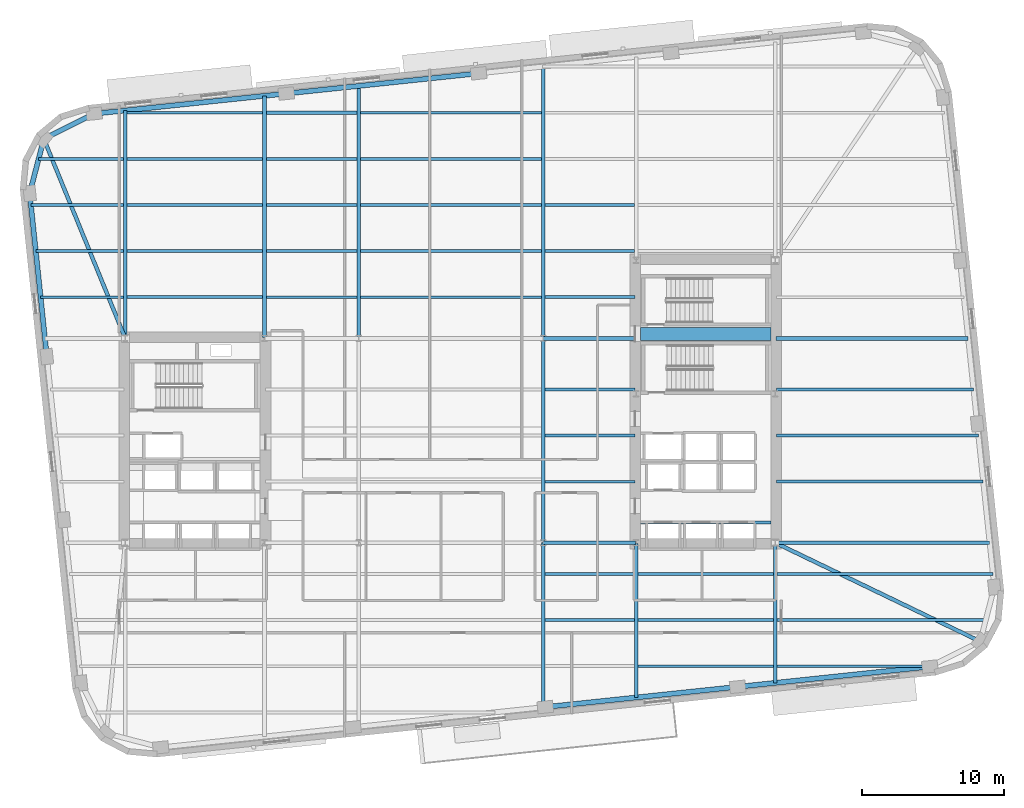
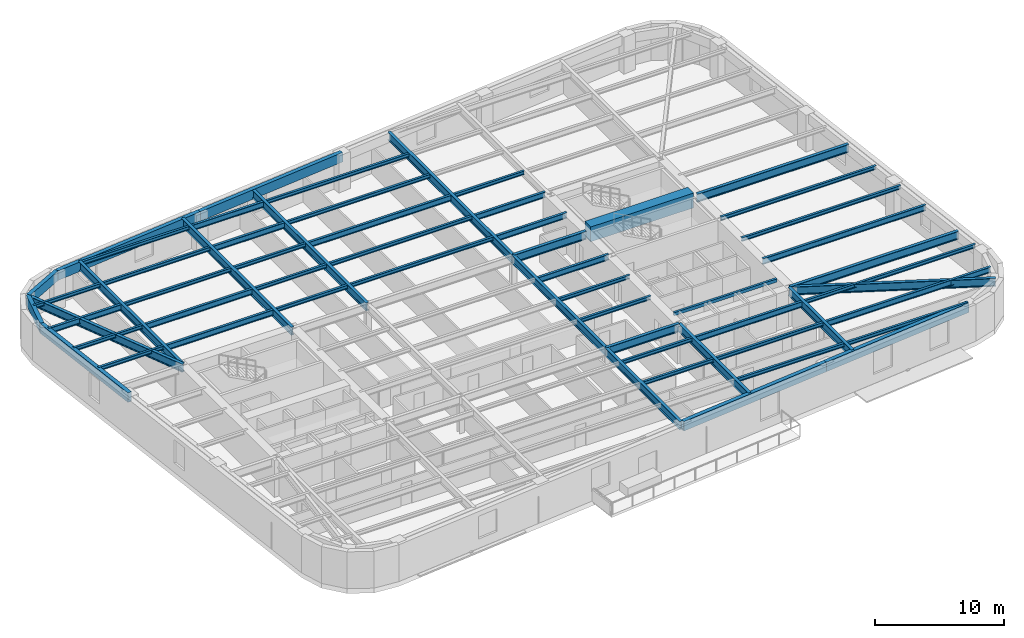
# One storey, part 2 of 11: 59 beams.
"""IFC4 building model written with IfcOpenShell, lengths in metres."""

from ifc_helpers import new_model, si_unit, direction, frame, origin, origin_2d, place, context, subcontext, project, spatial, rectangle, hollow_rectangle, i_section, extrude, material, material_profile, profile_set, type_object, element, save


model = new_model("IFC4")

# Units and contexts
model_context = context("Model", 3, precision=1e-05, world=origin(), true_north=direction((0.0, 1.0)))
body_context = subcontext(model_context, "Body", "Model", "MODEL_VIEW")
ifc_project = project(units=[si_unit("LENGTHUNIT", "METRE"), si_unit("AREAUNIT", "SQUARE_METRE"), si_unit("VOLUMEUNIT", "CUBIC_METRE"), si_unit("PLANEANGLEUNIT", "RADIAN"), si_unit("MASSUNIT", "GRAM", prefix="KILO")], contexts=[model_context])

# Site, building, storey
site_placement = place(None, origin())
site = spatial("IfcSite", under=ifc_project, at=site_placement, CompositionType="ELEMENT")
building_placement = place(site_placement, origin())
building = spatial("IfcBuilding", under=site, at=building_placement, Name="Kolvaren Arena Tower", CompositionType="ELEMENT")
storey_placement = place(building_placement, frame((0.0, 0.0, 99.699951171875)))
storey = spatial("IfcBuildingStorey", under=building, at=storey_placement, Name="L22", CompositionType="ELEMENT", Elevation=99.699951171875)

# Beams
ifc_material_1 = material(Name="Steel CSA G40.21 350W", Category="steel")
ifc_material_profile_1 = material_profile(ifc_material_1, i_section(OverallWidth=0.2119140625, OverallDepth=0.54296875, WebThickness=0.01318359375, FlangeThickness=0.0244140625, FilletRadius=0.013916015625, at=origin_2d()), Name="W530x150")
ifc_profile_set_1 = profile_set([ifc_material_profile_1], Name="Steel CSA G40.21 350W")
beam_type_1 = type_object("IfcBeamType", Name="BEAM-F1", PredefinedType="BEAM", material=ifc_profile_set_1)
beam_1_placement = place(storey_placement, frame((60.485107421875, 14.0, 3.20849609375), z_axis=(1.0, 0.0, 0.0), x_axis=(0.0, 1.0, 0.0)))
element("IfcBeam", 1, at=beam_1_placement, inside=storey, type_object=beam_type_1, Name="Composite Floor Beam (L22)", PredefinedType="BEAM", context=body_context, shape_type="SweptSolid", body=[
    extrude(i_section(OverallWidth=0.2119140625, OverallDepth=0.54296875, WebThickness=0.01318359375, FlangeThickness=0.0244140625, FilletRadius=0.013916015625, at=origin_2d()), origin(), (0.0, 0.0, 1.0), 14.69677734375),
])
beam_2_placement = place(storey_placement, frame((50.68505859375, 17.25, 3.20849609375), z_axis=(1.0, 0.0, 0.0), x_axis=(0.0, 1.0, 0.0)))
element("IfcBeam", 2, at=beam_2_placement, inside=storey, type_object=beam_type_1, Name="Composite Floor Beam (L22)", PredefinedType="BEAM", context=body_context, shape_type="SweptSolid", body=[
    extrude(i_section(OverallWidth=0.2119140625, OverallDepth=0.54296875, WebThickness=0.01318359375, FlangeThickness=0.0244140625, FilletRadius=0.013916015625, at=origin_2d()), origin(), (0.0, 0.0, 1.0), 9.530029296875),
])
beam_3_placement = place(storey_placement, frame((60.445068359375, 23.75, 3.20849609375), z_axis=(1.0, 0.0, 0.0), x_axis=(0.0, 1.0, 0.0)))
element("IfcBeam", 3, at=beam_3_placement, inside=storey, type_object=beam_type_1, Name="Composite Floor Beam (L22)", PredefinedType="BEAM", context=body_context, shape_type="SweptSolid", body=[
    extrude(i_section(OverallWidth=0.2119140625, OverallDepth=0.54296875, WebThickness=0.01318359375, FlangeThickness=0.0244140625, FilletRadius=0.013916015625, at=origin_2d()), origin(), (0.0, 0.0, 1.0), 14.56103515625),
])
beam_4_placement = place(storey_placement, frame((44.135009765625, 30.25, 3.20849609375), z_axis=(1.0, 0.0, 0.0), x_axis=(0.0, 1.0, 0.0)))
element("IfcBeam", 4, at=beam_4_placement, inside=storey, type_object=beam_type_1, Name="Composite Floor Beam (L22)", PredefinedType="BEAM", context=body_context, shape_type="SweptSolid", body=[
    extrude(i_section(OverallWidth=0.2119140625, OverallDepth=0.54296875, WebThickness=0.01318359375, FlangeThickness=0.0244140625, FilletRadius=0.013916015625, at=origin_2d()), origin(), (0.0, 0.0, 1.0), 6.320068359375),
])
beam_5_placement = place(storey_placement, frame((14.68505859375, 36.75, 3.20849609375), z_axis=(1.0, 0.0, 0.0), x_axis=(0.0, 1.0, 0.0)))
element("IfcBeam", 5, at=beam_5_placement, inside=storey, type_object=beam_type_1, Name="Composite Floor Beam (L22)", PredefinedType="BEAM", context=body_context, shape_type="SweptSolid", body=[
    extrude(i_section(OverallWidth=0.2119140625, OverallDepth=0.54296875, WebThickness=0.01318359375, FlangeThickness=0.0244140625, FilletRadius=0.013916015625, at=origin_2d()), origin(), (0.0, 0.0, 1.0), 9.530029296875),
])
beam_6_placement = place(storey_placement, frame((44.135009765625, 36.75, 3.20849609375), z_axis=(1.0, 0.0, 0.0), x_axis=(0.0, 1.0, 0.0)))
element("IfcBeam", 6, at=beam_6_placement, inside=storey, type_object=beam_type_1, Name="Composite Floor Beam (L22)", PredefinedType="BEAM", context=body_context, shape_type="SweptSolid", body=[
    extrude(i_section(OverallWidth=0.2119140625, OverallDepth=0.54296875, WebThickness=0.01318359375, FlangeThickness=0.0244140625, FilletRadius=0.013916015625, at=origin_2d()), origin(), (0.0, 0.0, 1.0), 6.320068359375),
])
beam_7_placement = place(storey_placement, frame((14.68505859375, 40.0, 3.20849609375), z_axis=(1.0, 0.0, 0.0), x_axis=(0.0, 1.0, 0.0)))
element("IfcBeam", 7, at=beam_7_placement, inside=storey, type_object=beam_type_1, Name="Composite Floor Beam (L22)", PredefinedType="BEAM", context=body_context, shape_type="SweptSolid", body=[
    extrude(i_section(OverallWidth=0.2119140625, OverallDepth=0.54296875, WebThickness=0.01318359375, FlangeThickness=0.0244140625, FilletRadius=0.013916015625, at=origin_2d()), origin(), (0.0, 0.0, 1.0), 9.530029296875),
])
beam_8_placement = place(storey_placement, frame((44.135009765625, 40.0, 3.20849609375), z_axis=(1.0, 0.0, 0.0), x_axis=(0.0, 1.0, 0.0)))
element("IfcBeam", 8, at=beam_8_placement, inside=storey, type_object=beam_type_1, Name="Composite Floor Beam (L22)", PredefinedType="BEAM", context=body_context, shape_type="SweptSolid", body=[
    extrude(i_section(OverallWidth=0.2119140625, OverallDepth=0.54296875, WebThickness=0.01318359375, FlangeThickness=0.0244140625, FilletRadius=0.013916015625, at=origin_2d()), origin(), (0.0, 0.0, 1.0), 6.280029296875),
])
beam_9_placement = place(storey_placement, frame((7.900146484375, 43.25, 3.20849609375), z_axis=(1.0, 0.0, 0.0), x_axis=(0.0, 1.0, 0.0)))
element("IfcBeam", 9, at=beam_9_placement, inside=storey, type_object=beam_type_1, Name="Composite Floor Beam (L22)", PredefinedType="BEAM", context=body_context, shape_type="SweptSolid", body=[
    extrude(i_section(OverallWidth=0.2119140625, OverallDepth=0.54296875, WebThickness=0.01318359375, FlangeThickness=0.0244140625, FilletRadius=0.013916015625, at=origin_2d()), origin(), (0.0, 0.0, 1.0), 6.514892578125),
])
beam_10_placement = place(storey_placement, frame((31.135009765625, 43.25, 3.20849609375), z_axis=(1.0, 0.0, 0.0), x_axis=(0.0, 1.0, 0.0)))
element("IfcBeam", 10, at=beam_10_placement, inside=storey, type_object=beam_type_1, Name="Composite Floor Beam (L22)", PredefinedType="BEAM", context=body_context, shape_type="SweptSolid", body=[
    extrude(i_section(OverallWidth=0.2119140625, OverallDepth=0.54296875, WebThickness=0.01318359375, FlangeThickness=0.0244140625, FilletRadius=0.013916015625, at=origin_2d()), origin(), (0.0, 0.0, 1.0), 12.72998046875),
])
for number, where, z_axis, x_axis, name in (
    (11, (24.485107421875, 46.5, 3.20849609375), (1.0, 0.0, 0.0), (0.0, 1.0, 0.0), "Composite Floor Beam (L22)"),
    (12, (24.485107421875, 49.75, 3.20849609375), (1.0, 0.0, 0.0), (0.0, 1.0, 0.0), "Composite Floor Beam (L22)"),
):
    element("IfcBeam", number, at=place(storey_placement, frame(where, z_axis=z_axis, x_axis=x_axis)), inside=storey, type_object=beam_type_1, Name=name, PredefinedType="BEAM", context=body_context, shape_type="SweptSolid", body=[
        extrude(i_section(OverallWidth=0.2119140625, OverallDepth=0.54296875, WebThickness=0.01318359375, FlangeThickness=0.0244140625, FilletRadius=0.013916015625, at=origin_2d()), origin(), (0.0, 0.0, 1.0), 6.3798828125),
    ])
ifc_material_2 = material(Name="Concrete 75 MPa", Category="concrete")
ifc_material_profile_2 = material_profile(ifc_material_2, rectangle(XDim=0.89990234375, YDim=1.39990234375, at=origin_2d()), Name="RC-900x1400")
ifc_profile_set_2 = profile_set([ifc_material_profile_2], Name="Concrete 75 MPa")
beam_type_2 = type_object("IfcBeamType", Name="CB-CORE-1", PredefinedType="BEAM", material=ifc_profile_set_2)
beam_11_placement = place(storey_placement, frame((50.85009765625, 34.14990234375, 3.050048828125), z_axis=(1.0, 0.0, 0.0), x_axis=(0.0, 1.0, 0.0)))
element("IfcBeam", 13, at=beam_11_placement, inside=storey, type_object=beam_type_2, Name="East Core Coupling Beam (L22)", PredefinedType="BEAM", context=body_context, shape_type="SweptSolid", body=[
    extrude(rectangle(XDim=0.89990234375, YDim=1.39990234375, at=origin_2d()), origin(), (0.0, 0.0, 1.0), 9.199951171875),
])
ifc_material_profile_3 = material_profile(ifc_material_1, i_section(OverallWidth=0.27001953125, OverallDepth=0.77294921875, WebThickness=0.019287109375, FlangeThickness=0.033447265625, FilletRadius=0.01806640625, at=origin_2d()), Name="W760x257")
ifc_profile_set_3 = profile_set([ifc_material_profile_3], Name="Steel CSA G40.21 350W")
beam_type_3 = type_object("IfcBeamType", Name="GIRD-T1", PredefinedType="BEAM", material=ifc_profile_set_3)
beam_12_placement = place(storey_placement, frame((74.790283203125, 12.49267578125, 3.093505859375), z_axis=(-0.900889626424, 0.43404824732, 0.0), x_axis=(-0.43404824732, -0.900889626424, 0.0)))
element("IfcBeam", 14, at=beam_12_placement, inside=storey, type_object=beam_type_3, Name="Corner Diagonal Tie Girder (L22)", PredefinedType="BEAM", context=body_context, shape_type="SweptSolid", body=[
    extrude(i_section(OverallWidth=0.27001953125, OverallDepth=0.77294921875, WebThickness=0.019287109375, FlangeThickness=0.033447265625, FilletRadius=0.01806640625, at=origin_2d()), origin(), (0.0, 0.0, 1.0), 16.02880859375),
])
beam_13_placement = place(storey_placement, frame((8.8095703125, 47.9072265625, 3.093505859375), z_axis=(0.378059288681, -0.925781385772, 0.0), x_axis=(0.925781385772, 0.378059288681, 0.0)))
element("IfcBeam", 15, at=beam_13_placement, inside=storey, type_object=beam_type_3, Name="Corner Diagonal Tie Girder (L22)", PredefinedType="BEAM", context=body_context, shape_type="SweptSolid", body=[
    extrude(i_section(OverallWidth=0.27001953125, OverallDepth=0.77294921875, WebThickness=0.019287109375, FlangeThickness=0.033447265625, FilletRadius=0.01806640625, at=origin_2d()), origin(), (0.0, 0.0, 1.0), 15.18408203125),
])
beam_14_placement = place(storey_placement, frame((44.0, 19.449951171875, 3.093505859375), z_axis=(1.0, 0.0, 0.0), x_axis=(0.0, 1.0, 0.0)))
element("IfcBeam", 16, at=beam_14_placement, inside=storey, type_object=beam_type_3, Name="Primary Floor Girder (L22)", PredefinedType="BEAM", context=body_context, shape_type="SweptSolid", body=[
    extrude(i_section(OverallWidth=0.27001953125, OverallDepth=0.77294921875, WebThickness=0.019287109375, FlangeThickness=0.033447265625, FilletRadius=0.01806640625, at=origin_2d()), origin(), (0.0, 0.0, 1.0), 6.4951171875),
])
beam_15_placement = place(storey_placement, frame((60.405029296875, 19.449951171875, 3.093505859375), z_axis=(1.0, 0.0, 0.0), x_axis=(0.0, 1.0, 0.0)))
element("IfcBeam", 17, at=beam_15_placement, inside=storey, type_object=beam_type_3, Name="Primary Floor Girder (L22)", PredefinedType="BEAM", context=body_context, shape_type="SweptSolid", body=[
    extrude(i_section(OverallWidth=0.27001953125, OverallDepth=0.77294921875, WebThickness=0.019287109375, FlangeThickness=0.033447265625, FilletRadius=0.01806640625, at=origin_2d()), origin(), (0.0, 0.0, 1.0), 15.052978515625),
])
beam_16_placement = place(storey_placement, frame((44.0, 33.85009765625, 3.093505859375), z_axis=(1.0, 0.0, 0.0), x_axis=(0.0, 1.0, 0.0)))
element("IfcBeam", 18, at=beam_16_placement, inside=storey, type_object=beam_type_3, Name="Primary Floor Girder (L22)", PredefinedType="BEAM", context=body_context, shape_type="SweptSolid", body=[
    extrude(i_section(OverallWidth=0.27001953125, OverallDepth=0.77294921875, WebThickness=0.019287109375, FlangeThickness=0.033447265625, FilletRadius=0.01806640625, at=origin_2d()), origin(), (0.0, 0.0, 1.0), 6.4951171875),
])
beam_17_placement = place(storey_placement, frame((60.405029296875, 33.85009765625, 3.093505859375), z_axis=(1.0, 0.0, 0.0), x_axis=(0.0, 1.0, 0.0)))
element("IfcBeam", 19, at=beam_17_placement, inside=storey, type_object=beam_type_3, Name="Primary Floor Girder (L22)", PredefinedType="BEAM", context=body_context, shape_type="SweptSolid", body=[
    extrude(i_section(OverallWidth=0.27001953125, OverallDepth=0.77294921875, WebThickness=0.019287109375, FlangeThickness=0.033447265625, FilletRadius=0.01806640625, at=origin_2d()), origin(), (0.0, 0.0, 1.0), 13.53955078125),
])
beam_18_placement = place(storey_placement, frame((14.550048828125, 33.905029296875, 3.093505859375), z_axis=(0.0, 1.0, 0.0), x_axis=(-1.0, 0.0, 0.0)))
element("IfcBeam", 20, at=beam_18_placement, inside=storey, type_object=beam_type_3, Name="Primary Floor Girder (L22)", PredefinedType="BEAM", context=body_context, shape_type="SweptSolid", body=[
    extrude(i_section(OverallWidth=0.27001953125, OverallDepth=0.77294921875, WebThickness=0.019287109375, FlangeThickness=0.033447265625, FilletRadius=0.01806640625, at=origin_2d()), origin(), (0.0, 0.0, 1.0), 16.004638671875),
])
beam_19_placement = place(storey_placement, frame((24.35009765625, 33.905029296875, 3.093505859375), z_axis=(0.0, 1.0, 0.0), x_axis=(-1.0, 0.0, 0.0)))
element("IfcBeam", 21, at=beam_19_placement, inside=storey, type_object=beam_type_3, Name="Primary Floor Girder (L22)", PredefinedType="BEAM", context=body_context, shape_type="SweptSolid", body=[
    extrude(i_section(OverallWidth=0.27001953125, OverallDepth=0.77294921875, WebThickness=0.019287109375, FlangeThickness=0.033447265625, FilletRadius=0.01806640625, at=origin_2d()), origin(), (0.0, 0.0, 1.0), 17.03466796875),
])
beam_20_placement = place(storey_placement, frame((31.0, 33.85009765625, 3.093505859375), z_axis=(0.0, 1.0, 0.0), x_axis=(-1.0, 0.0, 0.0)))
element("IfcBeam", 22, at=beam_20_placement, inside=storey, type_object=beam_type_3, Name="Primary Floor Girder (L22)", PredefinedType="BEAM", context=body_context, shape_type="SweptSolid", body=[
    extrude(i_section(OverallWidth=0.27001953125, OverallDepth=0.77294921875, WebThickness=0.019287109375, FlangeThickness=0.033447265625, FilletRadius=0.01806640625, at=origin_2d()), origin(), (0.0, 0.0, 1.0), 17.788330078125),
])
beam_21_placement = place(storey_placement, frame((44.0, 7.857666015625, 3.093505859375), z_axis=(0.0, 1.0, 0.0), x_axis=(-1.0, 0.0, 0.0)))
element("IfcBeam", 23, at=beam_21_placement, inside=storey, type_object=beam_type_3, Name="Primary Floor Girder (L22)", PredefinedType="BEAM", context=body_context, shape_type="SweptSolid", body=[
    extrude(i_section(OverallWidth=0.27001953125, OverallDepth=0.77294921875, WebThickness=0.019287109375, FlangeThickness=0.033447265625, FilletRadius=0.01806640625, at=origin_2d()), origin(), (0.0, 0.0, 1.0), 11.59228515625),
])
beam_22_placement = place(storey_placement, frame((44.0, 19.449951171875, 3.093505859375), z_axis=(0.0, 1.0, 0.0), x_axis=(-1.0, 0.0, 0.0)))
element("IfcBeam", 24, at=beam_22_placement, inside=storey, type_object=beam_type_3, Name="Primary Floor Girder (L22)", PredefinedType="BEAM", context=body_context, shape_type="SweptSolid", body=[
    extrude(i_section(OverallWidth=0.27001953125, OverallDepth=0.77294921875, WebThickness=0.019287109375, FlangeThickness=0.033447265625, FilletRadius=0.01806640625, at=origin_2d()), origin(), (0.0, 0.0, 1.0), 14.400146484375),
])
beam_23_placement = place(storey_placement, frame((44.0, 33.85009765625, 3.093505859375), z_axis=(0.0, 1.0, 0.0), x_axis=(-1.0, 0.0, 0.0)))
element("IfcBeam", 25, at=beam_23_placement, inside=storey, type_object=beam_type_3, Name="Primary Floor Girder (L22)", PredefinedType="BEAM", context=body_context, shape_type="SweptSolid", body=[
    extrude(i_section(OverallWidth=0.27001953125, OverallDepth=0.77294921875, WebThickness=0.019287109375, FlangeThickness=0.033447265625, FilletRadius=0.01806640625, at=origin_2d()), origin(), (0.0, 0.0, 1.0), 19.15478515625),
])
beam_24_placement = place(storey_placement, frame((50.550048828125, 8.5458984375, 3.093505859375), z_axis=(0.0, 1.0, 0.0), x_axis=(-1.0, 0.0, 0.0)))
element("IfcBeam", 26, at=beam_24_placement, inside=storey, type_object=beam_type_3, Name="Primary Floor Girder (L22)", PredefinedType="BEAM", context=body_context, shape_type="SweptSolid", body=[
    extrude(i_section(OverallWidth=0.27001953125, OverallDepth=0.77294921875, WebThickness=0.019287109375, FlangeThickness=0.033447265625, FilletRadius=0.01806640625, at=origin_2d()), origin(), (0.0, 0.0, 1.0), 10.84912109375),
])
beam_25_placement = place(storey_placement, frame((60.35009765625, 9.575927734375, 3.093505859375), z_axis=(0.0, 1.0, 0.0), x_axis=(-1.0, 0.0, 0.0)))
element("IfcBeam", 27, at=beam_25_placement, inside=storey, type_object=beam_type_3, Name="Primary Floor Girder (L22)", PredefinedType="BEAM", context=body_context, shape_type="SweptSolid", body=[
    extrude(i_section(OverallWidth=0.27001953125, OverallDepth=0.77294921875, WebThickness=0.019287109375, FlangeThickness=0.033447265625, FilletRadius=0.01806640625, at=origin_2d()), origin(), (0.0, 0.0, 1.0), 9.819091796875),
])
ifc_material_profile_4 = material_profile(ifc_material_1, i_section(OverallWidth=0.202880859375, OverallDepth=0.346923828125, WebThickness=0.0078125, FlangeThickness=0.013427734375, FilletRadius=0.010986328125, at=origin_2d()), Name="W360x64")
ifc_profile_set_4 = profile_set([ifc_material_profile_4], Name="Steel CSA G40.21 350W")
beam_type_4 = type_object("IfcBeamType", Name="JOIST-01", PredefinedType="JOIST", material=ifc_profile_set_4)
beam_26_placement = place(storey_placement, frame((50.68505859375, 10.75, 3.306640625), z_axis=(1.0, 0.0, 0.0), x_axis=(0.0, 1.0, 0.0)))
element("IfcBeam", 28, at=beam_26_placement, inside=storey, type_object=beam_type_4, Name="Composite Floor Joist (L22)", PredefinedType="JOIST", context=body_context, shape_type="SweptSolid", body=[
    extrude(i_section(OverallWidth=0.202880859375, OverallDepth=0.346923828125, WebThickness=0.0078125, FlangeThickness=0.013427734375, FilletRadius=0.010986328125, at=origin_2d()), origin(), (0.0, 0.0, 1.0), 9.530029296875),
])
beam_27_placement = place(storey_placement, frame((60.485107421875, 10.75, 3.306640625), z_axis=(1.0, 0.0, 0.0), x_axis=(0.0, 1.0, 0.0)))
element("IfcBeam", 29, at=beam_27_placement, inside=storey, type_object=beam_type_4, Name="Composite Floor Joist (L22)", PredefinedType="JOIST", context=body_context, shape_type="SweptSolid", body=[
    extrude(i_section(OverallWidth=0.202880859375, OverallDepth=0.346923828125, WebThickness=0.0078125, FlangeThickness=0.013427734375, FilletRadius=0.010986328125, at=origin_2d()), origin(), (0.0, 0.0, 1.0), 10.819580078125),
])
beam_28_placement = place(storey_placement, frame((44.135009765625, 14.0, 3.306640625), z_axis=(1.0, 0.0, 0.0), x_axis=(0.0, 1.0, 0.0)))
element("IfcBeam", 30, at=beam_28_placement, inside=storey, type_object=beam_type_4, Name="Composite Floor Joist (L22)", PredefinedType="JOIST", context=body_context, shape_type="SweptSolid", body=[
    extrude(i_section(OverallWidth=0.202880859375, OverallDepth=0.346923828125, WebThickness=0.0078125, FlangeThickness=0.013427734375, FilletRadius=0.010986328125, at=origin_2d()), origin(), (0.0, 0.0, 1.0), 6.280029296875),
])
beam_29_placement = place(storey_placement, frame((50.68505859375, 14.0, 3.306640625), z_axis=(1.0, 0.0, 0.0), x_axis=(0.0, 1.0, 0.0)))
element("IfcBeam", 31, at=beam_29_placement, inside=storey, type_object=beam_type_4, Name="Composite Floor Joist (L22)", PredefinedType="JOIST", context=body_context, shape_type="SweptSolid", body=[
    extrude(i_section(OverallWidth=0.202880859375, OverallDepth=0.346923828125, WebThickness=0.0078125, FlangeThickness=0.013427734375, FilletRadius=0.010986328125, at=origin_2d()), origin(), (0.0, 0.0, 1.0), 9.530029296875),
])
beam_30_placement = place(storey_placement, frame((44.135009765625, 17.25, 3.306640625), z_axis=(1.0, 0.0, 0.0), x_axis=(0.0, 1.0, 0.0)))
element("IfcBeam", 32, at=beam_30_placement, inside=storey, type_object=beam_type_4, Name="Composite Floor Joist (L22)", PredefinedType="JOIST", context=body_context, shape_type="SweptSolid", body=[
    extrude(i_section(OverallWidth=0.202880859375, OverallDepth=0.346923828125, WebThickness=0.0078125, FlangeThickness=0.013427734375, FilletRadius=0.010986328125, at=origin_2d()), origin(), (0.0, 0.0, 1.0), 6.280029296875),
])
beam_31_placement = place(storey_placement, frame((60.485107421875, 17.25, 3.306640625), z_axis=(1.0, 0.0, 0.0), x_axis=(0.0, 1.0, 0.0)))
element("IfcBeam", 33, at=beam_31_placement, inside=storey, type_object=beam_type_4, Name="Composite Floor Joist (L22)", PredefinedType="JOIST", context=body_context, shape_type="SweptSolid", body=[
    extrude(i_section(OverallWidth=0.202880859375, OverallDepth=0.346923828125, WebThickness=0.0078125, FlangeThickness=0.013427734375, FilletRadius=0.010986328125, at=origin_2d()), origin(), (0.0, 0.0, 1.0), 15.2041015625),
])
for number, where, z_axis, x_axis, name in (
    (34, (44.135009765625, 23.75, 3.306640625), (1.0, 0.0, 0.0), (0.0, 1.0, 0.0), "Composite Floor Joist (L22)"),
    (35, (44.135009765625, 27.0, 3.306640625), (1.0, 0.0, 0.0), (0.0, 1.0, 0.0), "Composite Floor Joist (L22)"),
):
    element("IfcBeam", number, at=place(storey_placement, frame(where, z_axis=z_axis, x_axis=x_axis)), inside=storey, type_object=beam_type_4, Name=name, PredefinedType="JOIST", context=body_context, shape_type="SweptSolid", body=[
        extrude(i_section(OverallWidth=0.202880859375, OverallDepth=0.346923828125, WebThickness=0.0078125, FlangeThickness=0.013427734375, FilletRadius=0.010986328125, at=origin_2d()), origin(), (0.0, 0.0, 1.0), 6.320068359375),
    ])
beam_32_placement = place(storey_placement, frame((60.445068359375, 27.0, 3.306640625), z_axis=(1.0, 0.0, 0.0), x_axis=(0.0, 1.0, 0.0)))
element("IfcBeam", 36, at=beam_32_placement, inside=storey, type_object=beam_type_4, Name="Composite Floor Joist (L22)", PredefinedType="JOIST", context=body_context, shape_type="SweptSolid", body=[
    extrude(i_section(OverallWidth=0.202880859375, OverallDepth=0.346923828125, WebThickness=0.0078125, FlangeThickness=0.013427734375, FilletRadius=0.010986328125, at=origin_2d()), origin(), (0.0, 0.0, 1.0), 14.219482421875),
])
beam_33_placement = place(storey_placement, frame((60.445068359375, 30.25, 3.306640625), z_axis=(1.0, 0.0, 0.0), x_axis=(0.0, 1.0, 0.0)))
element("IfcBeam", 37, at=beam_33_placement, inside=storey, type_object=beam_type_4, Name="Composite Floor Joist (L22)", PredefinedType="JOIST", context=body_context, shape_type="SweptSolid", body=[
    extrude(i_section(OverallWidth=0.202880859375, OverallDepth=0.346923828125, WebThickness=0.0078125, FlangeThickness=0.013427734375, FilletRadius=0.010986328125, at=origin_2d()), origin(), (0.0, 0.0, 1.0), 13.8779296875),
])
beam_34_placement = place(storey_placement, frame((8.58349609375, 36.75, 3.306640625), z_axis=(1.0, 0.0, 0.0), x_axis=(0.0, 1.0, 0.0)))
element("IfcBeam", 38, at=beam_34_placement, inside=storey, type_object=beam_type_4, Name="Composite Floor Joist (L22)", PredefinedType="JOIST", context=body_context, shape_type="SweptSolid", body=[
    extrude(i_section(OverallWidth=0.202880859375, OverallDepth=0.346923828125, WebThickness=0.0078125, FlangeThickness=0.013427734375, FilletRadius=0.010986328125, at=origin_2d()), origin(), (0.0, 0.0, 1.0), 5.83154296875),
])
beam_35_placement = place(storey_placement, frame((24.485107421875, 36.75, 3.306640625), z_axis=(1.0, 0.0, 0.0), x_axis=(0.0, 1.0, 0.0)))
element("IfcBeam", 39, at=beam_35_placement, inside=storey, type_object=beam_type_4, Name="Composite Floor Joist (L22)", PredefinedType="JOIST", context=body_context, shape_type="SweptSolid", body=[
    extrude(i_section(OverallWidth=0.202880859375, OverallDepth=0.346923828125, WebThickness=0.0078125, FlangeThickness=0.013427734375, FilletRadius=0.010986328125, at=origin_2d()), origin(), (0.0, 0.0, 1.0), 6.3798828125),
])
beam_36_placement = place(storey_placement, frame((31.135009765625, 36.75, 3.306640625), z_axis=(1.0, 0.0, 0.0), x_axis=(0.0, 1.0, 0.0)))
element("IfcBeam", 40, at=beam_36_placement, inside=storey, type_object=beam_type_4, Name="Composite Floor Joist (L22)", PredefinedType="JOIST", context=body_context, shape_type="SweptSolid", body=[
    extrude(i_section(OverallWidth=0.202880859375, OverallDepth=0.346923828125, WebThickness=0.0078125, FlangeThickness=0.013427734375, FilletRadius=0.010986328125, at=origin_2d()), origin(), (0.0, 0.0, 1.0), 12.72998046875),
])
beam_37_placement = place(storey_placement, frame((8.24169921875, 40.0, 3.306640625), z_axis=(1.0, 0.0, 0.0), x_axis=(0.0, 1.0, 0.0)))
element("IfcBeam", 41, at=beam_37_placement, inside=storey, type_object=beam_type_4, Name="Composite Floor Joist (L22)", PredefinedType="JOIST", context=body_context, shape_type="SweptSolid", body=[
    extrude(i_section(OverallWidth=0.202880859375, OverallDepth=0.346923828125, WebThickness=0.0078125, FlangeThickness=0.013427734375, FilletRadius=0.010986328125, at=origin_2d()), origin(), (0.0, 0.0, 1.0), 6.17333984375),
])
beam_38_placement = place(storey_placement, frame((24.485107421875, 40.0, 3.306640625), z_axis=(1.0, 0.0, 0.0), x_axis=(0.0, 1.0, 0.0)))
element("IfcBeam", 42, at=beam_38_placement, inside=storey, type_object=beam_type_4, Name="Composite Floor Joist (L22)", PredefinedType="JOIST", context=body_context, shape_type="SweptSolid", body=[
    extrude(i_section(OverallWidth=0.202880859375, OverallDepth=0.346923828125, WebThickness=0.0078125, FlangeThickness=0.013427734375, FilletRadius=0.010986328125, at=origin_2d()), origin(), (0.0, 0.0, 1.0), 6.3798828125),
])
beam_39_placement = place(storey_placement, frame((31.135009765625, 40.0, 3.306640625), z_axis=(1.0, 0.0, 0.0), x_axis=(0.0, 1.0, 0.0)))
element("IfcBeam", 43, at=beam_39_placement, inside=storey, type_object=beam_type_4, Name="Composite Floor Joist (L22)", PredefinedType="JOIST", context=body_context, shape_type="SweptSolid", body=[
    extrude(i_section(OverallWidth=0.202880859375, OverallDepth=0.346923828125, WebThickness=0.0078125, FlangeThickness=0.013427734375, FilletRadius=0.010986328125, at=origin_2d()), origin(), (0.0, 0.0, 1.0), 12.72998046875),
])
beam_40_placement = place(storey_placement, frame((14.68505859375, 43.25, 3.306640625), z_axis=(1.0, 0.0, 0.0), x_axis=(0.0, 1.0, 0.0)))
element("IfcBeam", 44, at=beam_40_placement, inside=storey, type_object=beam_type_4, Name="Composite Floor Joist (L22)", PredefinedType="JOIST", context=body_context, shape_type="SweptSolid", body=[
    extrude(i_section(OverallWidth=0.202880859375, OverallDepth=0.346923828125, WebThickness=0.0078125, FlangeThickness=0.013427734375, FilletRadius=0.010986328125, at=origin_2d()), origin(), (0.0, 0.0, 1.0), 9.530029296875),
])
beam_41_placement = place(storey_placement, frame((24.485107421875, 43.25, 3.306640625), z_axis=(1.0, 0.0, 0.0), x_axis=(0.0, 1.0, 0.0)))
element("IfcBeam", 45, at=beam_41_placement, inside=storey, type_object=beam_type_4, Name="Composite Floor Joist (L22)", PredefinedType="JOIST", context=body_context, shape_type="SweptSolid", body=[
    extrude(i_section(OverallWidth=0.202880859375, OverallDepth=0.346923828125, WebThickness=0.0078125, FlangeThickness=0.013427734375, FilletRadius=0.010986328125, at=origin_2d()), origin(), (0.0, 0.0, 1.0), 6.3798828125),
])
beam_42_placement = place(storey_placement, frame((44.135009765625, 43.25, 3.306640625), z_axis=(1.0, 0.0, 0.0), x_axis=(0.0, 1.0, 0.0)))
element("IfcBeam", 46, at=beam_42_placement, inside=storey, type_object=beam_type_4, Name="Composite Floor Joist (L22)", PredefinedType="JOIST", context=body_context, shape_type="SweptSolid", body=[
    extrude(i_section(OverallWidth=0.202880859375, OverallDepth=0.346923828125, WebThickness=0.0078125, FlangeThickness=0.013427734375, FilletRadius=0.010986328125, at=origin_2d()), origin(), (0.0, 0.0, 1.0), 6.280029296875),
])
beam_43_placement = place(storey_placement, frame((8.444091796875, 46.5, 3.306640625), z_axis=(1.0, 0.0, 0.0), x_axis=(0.0, 1.0, 0.0)))
element("IfcBeam", 47, at=beam_43_placement, inside=storey, type_object=beam_type_4, Name="Composite Floor Joist (L22)", PredefinedType="JOIST", context=body_context, shape_type="SweptSolid", body=[
    extrude(i_section(OverallWidth=0.202880859375, OverallDepth=0.346923828125, WebThickness=0.0078125, FlangeThickness=0.013427734375, FilletRadius=0.010986328125, at=origin_2d()), origin(), (0.0, 0.0, 1.0), 5.970947265625),
])
beam_44_placement = place(storey_placement, frame((14.68505859375, 46.5, 3.306640625), z_axis=(1.0, 0.0, 0.0), x_axis=(0.0, 1.0, 0.0)))
element("IfcBeam", 48, at=beam_44_placement, inside=storey, type_object=beam_type_4, Name="Composite Floor Joist (L22)", PredefinedType="JOIST", context=body_context, shape_type="SweptSolid", body=[
    extrude(i_section(OverallWidth=0.202880859375, OverallDepth=0.346923828125, WebThickness=0.0078125, FlangeThickness=0.013427734375, FilletRadius=0.010986328125, at=origin_2d()), origin(), (0.0, 0.0, 1.0), 9.530029296875),
])
beam_45_placement = place(storey_placement, frame((31.135009765625, 46.5, 3.306640625), z_axis=(1.0, 0.0, 0.0), x_axis=(0.0, 1.0, 0.0)))
element("IfcBeam", 49, at=beam_45_placement, inside=storey, type_object=beam_type_4, Name="Composite Floor Joist (L22)", PredefinedType="JOIST", context=body_context, shape_type="SweptSolid", body=[
    extrude(i_section(OverallWidth=0.202880859375, OverallDepth=0.346923828125, WebThickness=0.0078125, FlangeThickness=0.013427734375, FilletRadius=0.010986328125, at=origin_2d()), origin(), (0.0, 0.0, 1.0), 12.72998046875),
])
beam_46_placement = place(storey_placement, frame((14.68505859375, 49.75, 3.306640625), z_axis=(1.0, 0.0, 0.0), x_axis=(0.0, 1.0, 0.0)))
element("IfcBeam", 50, at=beam_46_placement, inside=storey, type_object=beam_type_4, Name="Composite Floor Joist (L22)", PredefinedType="JOIST", context=body_context, shape_type="SweptSolid", body=[
    extrude(i_section(OverallWidth=0.202880859375, OverallDepth=0.346923828125, WebThickness=0.0078125, FlangeThickness=0.013427734375, FilletRadius=0.010986328125, at=origin_2d()), origin(), (0.0, 0.0, 1.0), 9.530029296875),
])
beam_47_placement = place(storey_placement, frame((31.135009765625, 49.75, 3.306640625), z_axis=(1.0, 0.0, 0.0), x_axis=(0.0, 1.0, 0.0)))
element("IfcBeam", 51, at=beam_47_placement, inside=storey, type_object=beam_type_4, Name="Composite Floor Joist (L22)", PredefinedType="JOIST", context=body_context, shape_type="SweptSolid", body=[
    extrude(i_section(OverallWidth=0.202880859375, OverallDepth=0.346923828125, WebThickness=0.0078125, FlangeThickness=0.013427734375, FilletRadius=0.010986328125, at=origin_2d()), origin(), (0.0, 0.0, 1.0), 12.72998046875),
])
ifc_material_profile_5 = material_profile(ifc_material_1, hollow_rectangle(XDim=0.199951171875, YDim=0.300048828125, WallThickness=0.011962890625, at=origin_2d()), Name="HSS 300x200x12")
ifc_profile_set_5 = profile_set([ifc_material_profile_5], Name="Steel CSA G40.21 350W")
beam_type_5 = type_object("IfcBeamType", Name="LINT-01", PredefinedType="LINTEL", material=ifc_profile_set_5)
beam_48_placement = place(storey_placement, frame((50.85009765625, 20.8798828125, 3.330078125), z_axis=(1.0, 0.0, 0.0), x_axis=(0.0, 1.0, 0.0)))
element("IfcBeam", 52, at=beam_48_placement, inside=storey, type_object=beam_type_5, Name="East Lift Lobby Portal Lintel (L22)", PredefinedType="LINTEL", context=body_context, shape_type="SweptSolid", body=[
    extrude(hollow_rectangle(XDim=0.199951171875, YDim=0.300048828125, WallThickness=0.011962890625, at=origin_2d()), origin(), (0.0, 0.0, 1.0), 9.199951171875),
])
ifc_material_3 = material(Name="Steel CSA G40.21 350WT", Category="steel")
ifc_material_profile_6 = material_profile(ifc_material_3, hollow_rectangle(XDim=0.35009765625, YDim=0.89990234375, WallThickness=0.02001953125, at=origin_2d()), Name="HSS 900x350x20")
ifc_profile_set_6 = profile_set([ifc_material_profile_6], Name="Steel CSA G40.21 350WT")
beam_type_6 = type_object("IfcBeamType", Name="SPAND-01", PredefinedType="SPANDREL", material=ifc_profile_set_6)
for number, where, z_axis, x_axis, name in (
    (53, (44.146728515625, 7.873046875, 3.030029296875), (0.994522817887, 0.104519685718, 0.0), (-0.104519685718, 0.994522817887, 0.0), "Perimeter Spandrel Beam (L22)"),
    (54, (57.697021484375, 9.297119140625, 3.030029296875), (0.994520955135, 0.104537408603, 0.0), (-0.104537408603, 0.994520955135, 0.0), "Perimeter Spandrel Beam (L22)"),
    (55, (39.453369140625, 52.527099609375, 3.030029296875), (-0.994520955135, -0.104537408603, 0.0), (0.104537408603, -0.994520955135, 0.0), "Perimeter Spandrel Beam (L22)"),
):
    element("IfcBeam", number, at=place(storey_placement, frame(where, z_axis=z_axis, x_axis=x_axis)), inside=storey, type_object=beam_type_6, Name=name, PredefinedType="SPANDREL", context=body_context, shape_type="SweptSolid", body=[
        extrude(hollow_rectangle(XDim=0.35009765625, YDim=0.89990234375, WallThickness=0.02001953125, at=origin_2d()), origin(), (0.0, 0.0, 1.0), 13.625),
    ])
beam_49_placement = place(storey_placement, frame((25.903076171875, 51.102783203125, 3.030029296875), z_axis=(-0.994523013632, -0.104517823154, 0.0), x_axis=(0.104517823154, -0.994523013632, 0.0)))
element("IfcBeam", 56, at=beam_49_placement, inside=storey, type_object=beam_type_6, Name="Perimeter Spandrel Beam (L22)", PredefinedType="SPANDREL", context=body_context, shape_type="SweptSolid", body=[
    extrude(hollow_rectangle(XDim=0.35009765625, YDim=0.89990234375, WallThickness=0.02001953125, at=origin_2d()), origin(), (0.0, 0.0, 1.0), 13.625244140625),
])
beam_50_placement = place(storey_placement, frame((12.3525390625, 49.6787109375, 3.030029296875), z_axis=(-0.894427191, -0.4472135955, 0.0), x_axis=(0.4472135955, -0.894427191, 0.0)))
element("IfcBeam", 57, at=beam_50_placement, inside=storey, type_object=beam_type_6, Name="Perimeter Spandrel Beam (L22)", PredefinedType="SPANDREL", context=body_context, shape_type="SweptSolid", body=[
    extrude(hollow_rectangle(XDim=0.35009765625, YDim=0.89990234375, WallThickness=0.02001953125, at=origin_2d()), origin(), (0.0, 0.0, 1.0), 3.961181640625),
])
beam_51_placement = place(storey_placement, frame((8.8095703125, 47.9072265625, 3.030029296875), z_axis=(-0.25141561169, -0.96787922294, 0.0), x_axis=(0.96787922294, -0.25141561169, 0.0)))
element("IfcBeam", 58, at=beam_51_placement, inside=storey, type_object=beam_type_6, Name="Perimeter Spandrel Beam (L22)", PredefinedType="SPANDREL", context=body_context, shape_type="SweptSolid", body=[
    extrude(hollow_rectangle(XDim=0.35009765625, YDim=0.89990234375, WallThickness=0.02001953125, at=origin_2d()), origin(), (0.0, 0.0, 1.0), 3.9609375),
])
beam_52_placement = place(storey_placement, frame((7.813720703125, 44.073486328125, 3.030029296875), z_axis=(0.104524366116, -0.994522325988, 0.0), x_axis=(0.994522325988, 0.104524366116, 0.0)))
element("IfcBeam", 59, at=beam_52_placement, inside=storey, type_object=beam_type_6, Name="Perimeter Spandrel Beam (L22)", PredefinedType="SPANDREL", context=body_context, shape_type="SweptSolid", body=[
    extrude(hollow_rectangle(XDim=0.35009765625, YDim=0.89990234375, WallThickness=0.02001953125, at=origin_2d()), origin(), (0.0, 0.0, 1.0), 11.566650390625),
])

save(model, "model.ifc")
